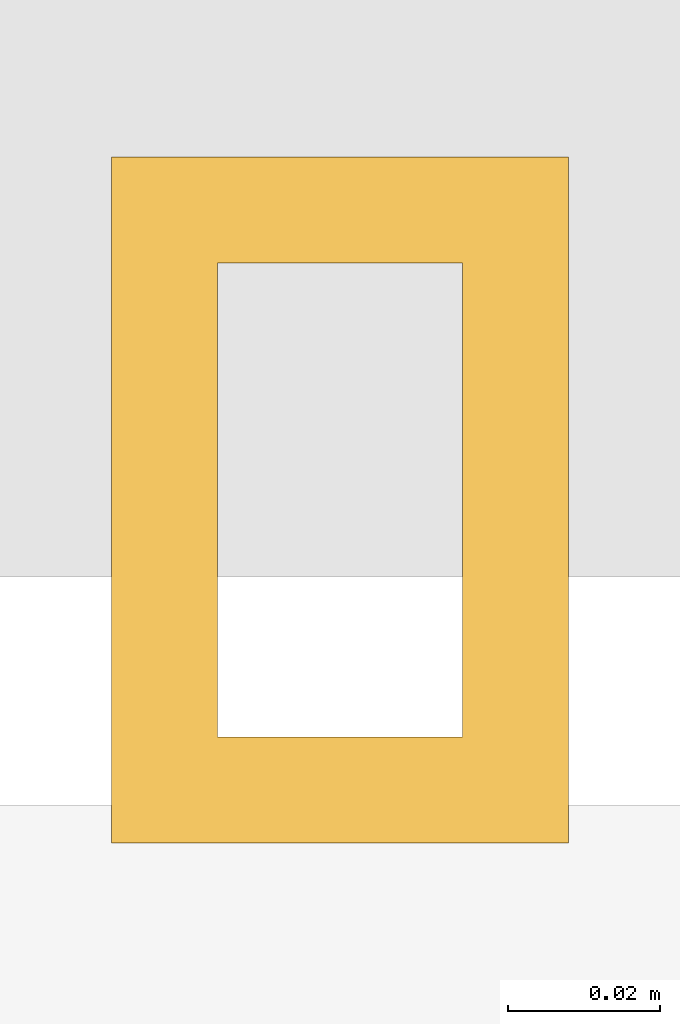
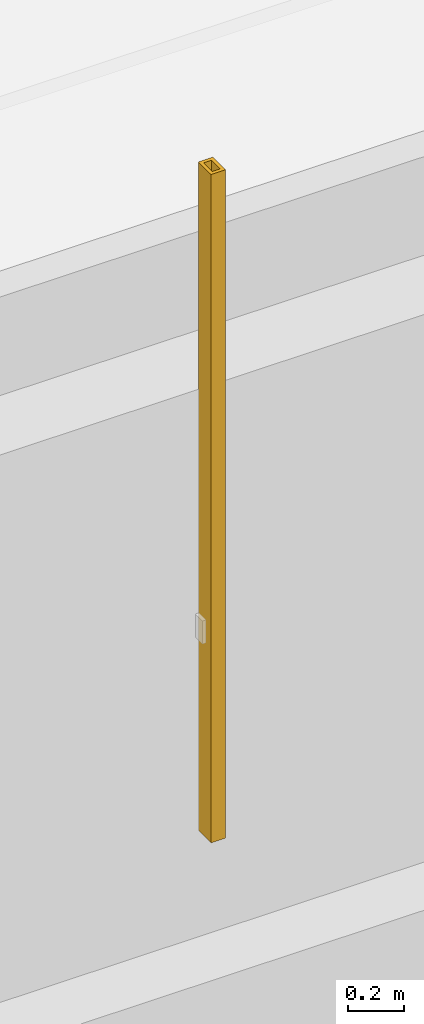
# One storey, part 23 of 30: 1 shading device.
"""IFC4 building model written with IfcOpenShell, lengths in metres."""

from ifc_helpers import new_model, si_unit, direction, frame, origin, origin_2d, place, context, subcontext, project, spatial, hollow_rectangle, extrude, material, material_profile, profile_set, type_object, element, save


model = new_model("IFC4")

# Units and contexts
model_context = context("Model", 3, precision=1e-05, world=origin(), true_north=direction((0.0, 1.0)))
body_context = subcontext(model_context, "Body", "Model", "MODEL_VIEW")
ifc_project = project(units=[si_unit("LENGTHUNIT", "METRE"), si_unit("AREAUNIT", "SQUARE_METRE"), si_unit("VOLUMEUNIT", "CUBIC_METRE"), si_unit("PLANEANGLEUNIT", "RADIAN"), si_unit("MASSUNIT", "GRAM", prefix="KILO")], contexts=[model_context])

# Site, building, storey
site_placement = place(None, origin())
site = spatial("IfcSite", under=ifc_project, at=site_placement, CompositionType="ELEMENT")
building_placement = place(site_placement, origin())
building = spatial("IfcBuilding", under=site, at=building_placement, Name="Punatoya Terracotta Tower", CompositionType="ELEMENT")
storey_placement = place(building_placement, frame((0.0, 0.0, 28.199951171875)))
storey = spatial("IfcBuildingStorey", under=building, at=storey_placement, Name="L05", CompositionType="ELEMENT", Elevation=28.199951171875)

# Shading device
ifc_material = material(Name="Architectural Fired Terracotta", Category="masonry")
ifc_material_profile = material_profile(ifc_material, hollow_rectangle(XDim=0.06005859375, YDim=0.090087890625, WallThickness=0.013916015625, at=origin_2d()))
ifc_profile_set = profile_set([ifc_material_profile], Name="Architectural Fired Terracotta")
shading_device_type = type_object("IfcShadingDeviceType", Name="SHD-JALI-90", PredefinedType="JALOUSIE", material=ifc_profile_set)
shading_device_placement = place(storey_placement, frame((10.093505859375, -23.449951171875, 0.60009765625), z_axis=(0.0, 0.0, 1.0), x_axis=(1.0, 0.0, 0.0)))
element("IfcShadingDevice", 1, at=shading_device_placement, inside=storey, type_object=shading_device_type, Name="L05 Braced Bay Terracotta Jali Fin S2", PredefinedType="JALOUSIE", context=body_context, shape_type="SweptSolid", body=[
    extrude(hollow_rectangle(XDim=0.06005859375, YDim=0.090087890625, WallThickness=0.013916015625, at=origin_2d()), origin(), (0.0, 0.0, 1.0), 2.909912109375),
])

save(model, "model.ifc")
